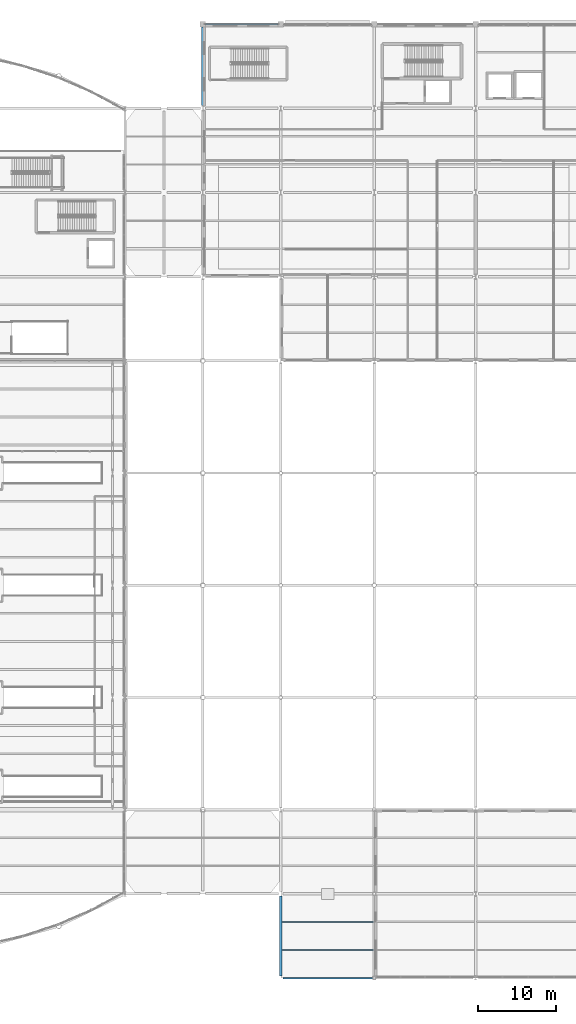
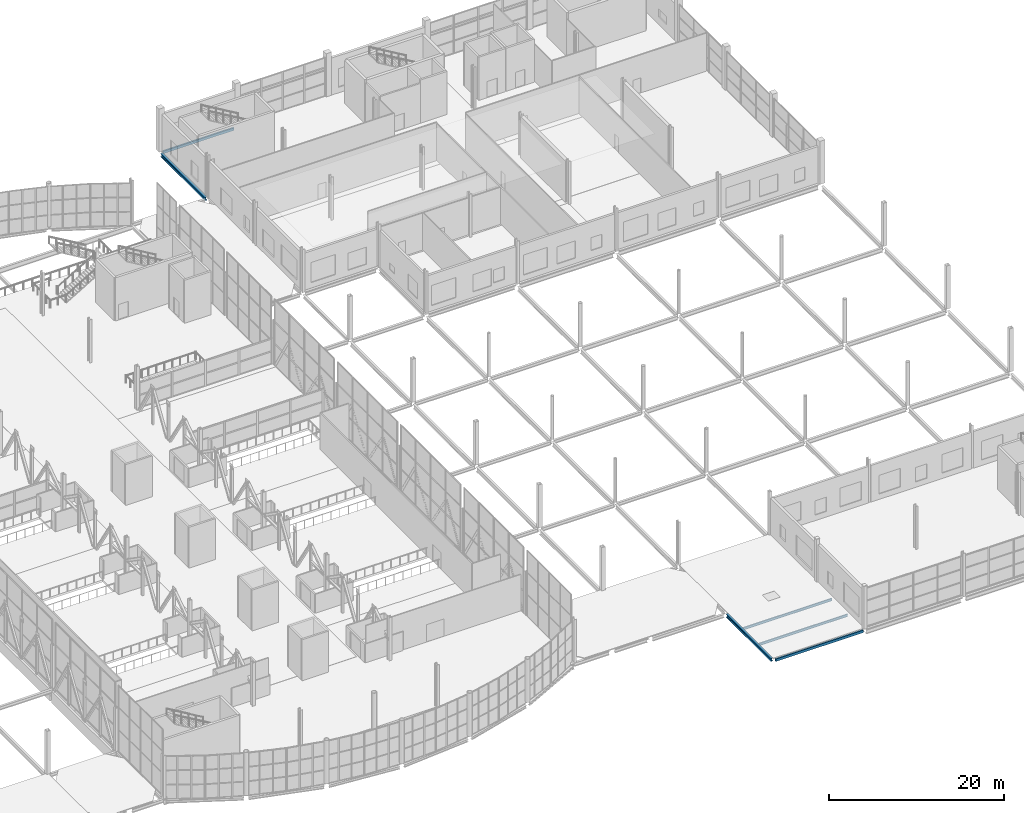
# One storey, part 128 of 191: 6 beams.
"""IFC4 building model written with IfcOpenShell, lengths in metres."""

from ifc_helpers import new_model, si_unit, direction, frame, origin, origin_2d, place, context, subcontext, project, spatial, hollow_rectangle, i_section, extrude, material, material_profile, profile_set, type_object, element, save


model = new_model("IFC4")

# Units and contexts
model_context = context("Model", 3, precision=1e-05, world=origin(), true_north=direction((0.0, 1.0)))
body_context = subcontext(model_context, "Body", "Model", "MODEL_VIEW")
ifc_project = project(units=[si_unit("LENGTHUNIT", "METRE"), si_unit("AREAUNIT", "SQUARE_METRE"), si_unit("VOLUMEUNIT", "CUBIC_METRE"), si_unit("PLANEANGLEUNIT", "RADIAN"), si_unit("MASSUNIT", "GRAM", prefix="KILO")], contexts=[model_context])

# Site, building, storey
site_placement = place(None, origin())
site = spatial("IfcSite", under=ifc_project, at=site_placement, CompositionType="ELEMENT")
building_placement = place(site_placement, origin())
building = spatial("IfcBuilding", under=site, at=building_placement, Name="Tamarisk Ironworks Central Station", CompositionType="ELEMENT")
storey_placement = place(building_placement, frame((0.0, 0.0, 6.60009765625)))
storey = spatial("IfcBuildingStorey", under=building, at=storey_placement, Name="L01", CompositionType="ELEMENT", Elevation=6.60009765625)

# Beams
ifc_material = material(Name="Structural steel S355J2", Category="steel")
ifc_material_profile_1 = material_profile(ifc_material, i_section(OverallWidth=0.159912109375, OverallDepth=0.330078125, WebThickness=0.007568359375, FlangeThickness=0.011474609375, at=origin_2d()), Name="IPE 330")
ifc_profile_set_1 = profile_set([ifc_material_profile_1], Name="Structural steel S355J2")
beam_type_1 = type_object("IfcBeamType", Name="BM-B06", PredefinedType="BEAM", material=ifc_profile_set_1)
for number, where, z_axis, x_axis, name in (
    (1, (128.135009765625, 3.60009765625, -0.3251953125), (1.0, 0.0, 0.0), (0.0, 1.0, 0.0), "L01 secondary composite beam 0101"),
    (2, (128.135009765625, 7.199951171875, -0.3251953125), (1.0, 0.0, 0.0), (0.0, 1.0, 0.0), "L01 secondary composite beam 0102"),
):
    element("IfcBeam", number, at=place(storey_placement, frame(where, z_axis=z_axis, x_axis=x_axis)), inside=storey, type_object=beam_type_1, Name=name, PredefinedType="BEAM", context=body_context, shape_type="SweptSolid", body=[
        extrude(i_section(OverallWidth=0.159912109375, OverallDepth=0.330078125, WebThickness=0.007568359375, FlangeThickness=0.011474609375, at=origin_2d()), origin(), (0.0, 0.0, 1.0), 11.72998046875),
    ])
ifc_material_profile_2 = material_profile(ifc_material, i_section(OverallWidth=0.300048828125, OverallDepth=0.43994140625, WebThickness=0.011474609375, FlangeThickness=0.02099609375, at=origin_2d()), Name="HEA 450")
ifc_profile_set_2 = profile_set([ifc_material_profile_2], Name="Structural steel S355J2")
beam_type_2 = type_object("IfcBeamType", Name="BM-G06", PredefinedType="BEAM", material=ifc_profile_set_2)
beam_1_placement = place(storey_placement, frame((118.0, 111.93798828125, -0.47021484375), z_axis=(0.0, 1.0, 0.0), x_axis=(-1.0, 0.0, 0.0)))
element("IfcBeam", 3, at=beam_1_placement, inside=storey, type_object=beam_type_2, Name="L01 primary girder Y-0249", PredefinedType="BEAM", context=body_context, shape_type="SweptSolid", body=[
    extrude(i_section(OverallWidth=0.300048828125, OverallDepth=0.43994140625, WebThickness=0.011474609375, FlangeThickness=0.02099609375, at=origin_2d()), origin(), (0.0, 0.0, 1.0), 10.1240234375),
])
beam_2_placement = place(storey_placement, frame((128.0, 0.2880859375, -0.380126953125), z_axis=(0.0, 1.0, 0.0), x_axis=(-1.0, 0.0, 0.0)))
element("IfcBeam", 4, at=beam_2_placement, inside=storey, type_object=beam_type_2, Name="L01 primary girder Y-0250", PredefinedType="BEAM", context=body_context, shape_type="SweptSolid", body=[
    extrude(i_section(OverallWidth=0.300048828125, OverallDepth=0.43994140625, WebThickness=0.011474609375, FlangeThickness=0.02099609375, at=origin_2d()), origin(), (0.0, 0.0, 1.0), 10.223876953125),
])
ifc_material_profile_3 = material_profile(ifc_material, hollow_rectangle(XDim=0.199951171875, YDim=0.35009765625, WallThickness=0.012451171875, at=origin_2d()), Name="RHS 350x200x12.5")
ifc_profile_set_3 = profile_set([ifc_material_profile_3], Name="Structural steel S355J2")
beam_type_3 = type_object("IfcBeamType", Name="BM-SP01", PredefinedType="SPANDREL", material=ifc_profile_set_3)
beam_3_placement = place(storey_placement, frame((128.2880859375, 0.0, -0.335205078125), z_axis=(1.0, 0.0, 0.0), x_axis=(0.0, 1.0, 0.0)))
element("IfcBeam", 5, at=beam_3_placement, inside=storey, type_object=beam_type_3, Name="L01 primary girder X-0006", PredefinedType="SPANDREL", context=body_context, shape_type="SweptSolid", body=[
    extrude(hollow_rectangle(XDim=0.199951171875, YDim=0.35009765625, WallThickness=0.012451171875, at=origin_2d()), origin(), (0.0, 0.0, 1.0), 11.52392578125),
])
beam_4_placement = place(storey_placement, frame((118.337890625, 122.39990234375, -0.425048828125), z_axis=(1.0, 0.0, 0.0), x_axis=(0.0, 1.0, 0.0)))
element("IfcBeam", 6, at=beam_4_placement, inside=storey, type_object=beam_type_3, Name="L01 primary girder X-0148", PredefinedType="SPANDREL", context=body_context, shape_type="SweptSolid", body=[
    extrude(hollow_rectangle(XDim=0.199951171875, YDim=0.35009765625, WallThickness=0.012451171875, at=origin_2d()), origin(), (0.0, 0.0, 1.0), 9.32421875),
])

save(model, "model.ifc")
